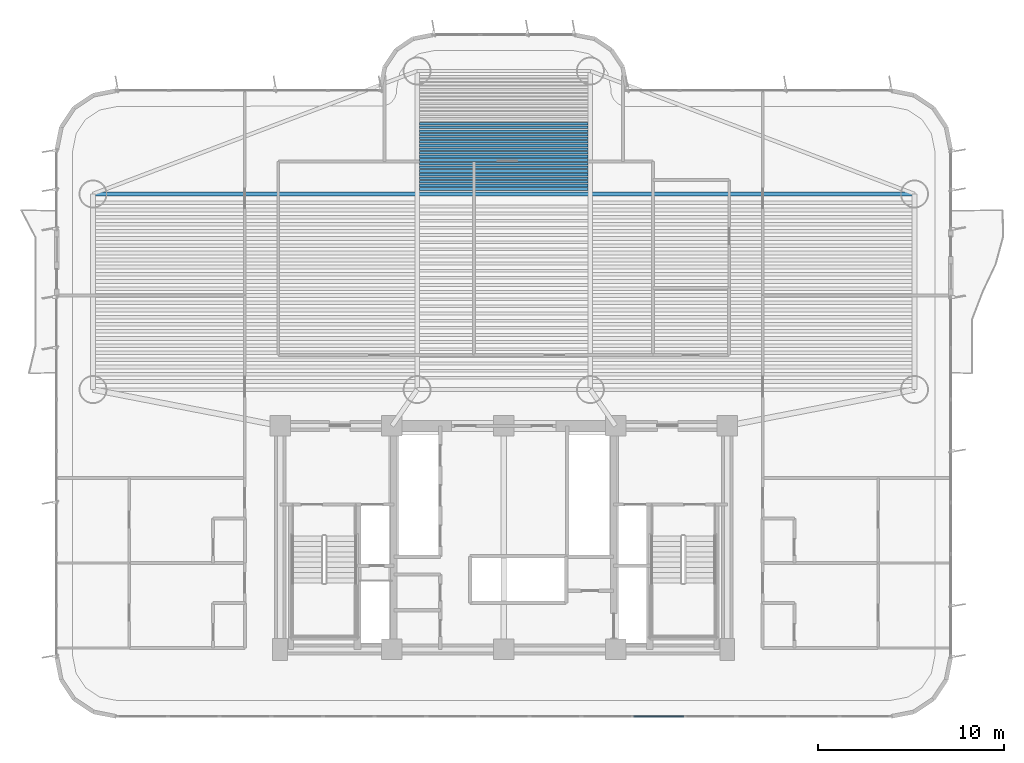
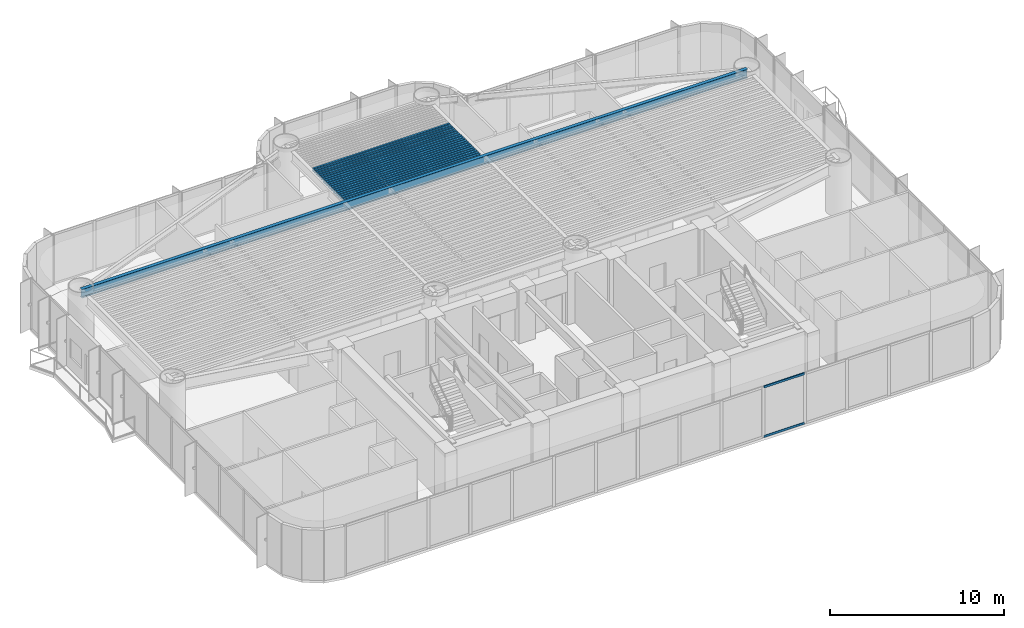
# One storey, part 4 of 17: 20 beams, 2 members, 1 element without a shape of its own.
"""IFC4 building model written with IfcOpenShell, lengths in metres."""

from ifc_helpers import new_model, si_unit, direction, frame, origin, origin_2d, place, context, subcontext, project, spatial, rectangle, i_section, extrude, source, transform, mapped, material, layer, layer_set, material_profile, profile_set, type_object, element, aggregate, save


model = new_model("IFC4")

# Units and contexts
model_context = context("Model", 3, precision=1e-05, world=origin(), true_north=direction((0.0, 1.0)))
body_context = subcontext(model_context, "Body", "Model", "MODEL_VIEW")
ifc_project = project(units=[si_unit("LENGTHUNIT", "METRE"), si_unit("AREAUNIT", "SQUARE_METRE"), si_unit("VOLUMEUNIT", "CUBIC_METRE"), si_unit("PLANEANGLEUNIT", "RADIAN"), si_unit("MASSUNIT", "GRAM", prefix="KILO")], contexts=[model_context])

# Site, building, storey
site_placement = place(None, origin())
site = spatial("IfcSite", under=ifc_project, at=site_placement, CompositionType="ELEMENT")
building_placement = place(site_placement, origin())
building = spatial("IfcBuilding", under=site, at=building_placement, Name="Brelvock Crest Care Tower", CompositionType="ELEMENT")
storey_placement = place(building_placement, frame((0.0, 0.0, 45.89990234375)))
storey = spatial("IfcBuildingStorey", under=building, at=storey_placement, Name="L11", CompositionType="ELEMENT", Elevation=45.89990234375)

# Beams
ifc_material_1 = material(Name="Steel Grade 350", Category="steel")
ifc_material_profile_1 = material_profile(ifc_material_1, i_section(OverallWidth=0.22900390625, OverallDepth=0.612060546875, WebThickness=0.011962890625, FlangeThickness=0.01953125, FilletRadius=0.013916015625, at=origin_2d()), Name="610UB125")
ifc_profile_set_1 = profile_set([ifc_material_profile_1], Name="Steel Grade 350")
beam_type_1 = type_object("IfcBeamType", Name="BM-G1", PredefinedType="BEAM", material=ifc_profile_set_1)
shared_shape_1 = source(origin(), body_context, "Body", "SweptSolid", [
    extrude(i_section(OverallWidth=0.22900390625, OverallDepth=0.612060546875, WebThickness=0.011962890625, FlangeThickness=0.01953125, FilletRadius=0.013916015625, at=origin_2d()), origin(), (0.0, 0.0, 1.0), 44.10009765625),
])
beam_placement = place(storey_placement, frame((13.949951171875, 30.449951171875, 3.22412109375), z_axis=(1.0, 0.0, 0.0), x_axis=(0.0, 1.0, 0.0)))
element("IfcBeam", 1, at=beam_placement, inside=storey, type_object=beam_type_1, Name="BM-TWR-L11-11", PredefinedType="BEAM", context=body_context, shape_type="MappedRepresentation", body=[
    mapped(shared_shape_1, transform((0.0, 0.0, 0.0), x_axis=(1.0, 0.0, 0.0), y_axis=(0.0, 1.0, 0.0), z_axis=(0.0, 0.0, 1.0), scale=1.0)),
])
ifc_material_profile_2 = material_profile(ifc_material_1, i_section(OverallWidth=0.14599609375, OverallDepth=0.256103515625, WebThickness=0.00634765625, FlangeThickness=0.010986328125, FilletRadius=0.0087890625, at=origin_2d()), Name="250UB37.3")
ifc_profile_set_2 = profile_set([ifc_material_profile_2], Name="Steel Grade 350")
beam_type_2 = type_object("IfcBeamType", Name="BM-J3", PredefinedType="JOIST", material=ifc_profile_set_2)
shared_shape_2 = source(origin(), body_context, "Body", "SweptSolid", [
    extrude(i_section(OverallWidth=0.14599609375, OverallDepth=0.256103515625, WebThickness=0.00634765625, FlangeThickness=0.010986328125, FilletRadius=0.0087890625, at=origin_2d()), origin(), (0.0, 0.0, 1.0), 9.06982421875),
])
for number, where, z_axis, x_axis, name in (
    (2, (31.465087890625, 30.714111328125, 3.402099609375), (1.0, 0.0, 0.0), (0.0, 1.0, 0.0), "BM-JN-L11-1"),
    (3, (31.465087890625, 30.90869140625, 3.402099609375), (1.0, 0.0, 0.0), (0.0, 1.0, 0.0), "BM-JN-L11-2"),
    (4, (31.465087890625, 31.103515625, 3.402099609375), (1.0, 0.0, 0.0), (0.0, 1.0, 0.0), "BM-JN-L11-3"),
    (5, (31.465087890625, 31.298095703125, 3.402099609375), (1.0, 0.0, 0.0), (0.0, 1.0, 0.0), "BM-JN-L11-4"),
    (6, (31.465087890625, 31.492919921875, 3.402099609375), (1.0, 0.0, 0.0), (0.0, 1.0, 0.0), "BM-JN-L11-5"),
    (7, (31.465087890625, 31.6875, 3.402099609375), (1.0, 0.0, 0.0), (0.0, 1.0, 0.0), "BM-JN-L11-6"),
    (8, (31.465087890625, 31.882080078125, 3.402099609375), (1.0, 0.0, 0.0), (0.0, 1.0, 0.0), "BM-JN-L11-7"),
    (9, (31.465087890625, 32.076904296875, 3.402099609375), (1.0, 0.0, 0.0), (0.0, 1.0, 0.0), "BM-JN-L11-8"),
    (10, (31.465087890625, 32.271484375, 3.402099609375), (1.0, 0.0, 0.0), (0.0, 1.0, 0.0), "BM-JN-L11-9"),
    (11, (31.465087890625, 32.46630859375, 3.402099609375), (1.0, 0.0, 0.0), (0.0, 1.0, 0.0), "BM-JN-L11-10"),
    (12, (31.465087890625, 32.660888671875, 3.402099609375), (1.0, 0.0, 0.0), (0.0, 1.0, 0.0), "BM-JN-L11-11"),
    (13, (31.465087890625, 32.855712890625, 3.402099609375), (1.0, 0.0, 0.0), (0.0, 1.0, 0.0), "BM-JN-L11-12"),
    (14, (31.465087890625, 33.05029296875, 3.402099609375), (1.0, 0.0, 0.0), (0.0, 1.0, 0.0), "BM-JN-L11-13"),
):
    element("IfcBeam", number, at=place(storey_placement, frame(where, z_axis=z_axis, x_axis=x_axis)), inside=storey, type_object=beam_type_2, Name=name, PredefinedType="JOIST", context=body_context, shape_type="MappedRepresentation", body=[
        mapped(shared_shape_2, transform((0.0, 0.0, 0.0), x_axis=(1.0, 0.0, 0.0), y_axis=(0.0, 1.0, 0.0), z_axis=(0.0, 0.0, 1.0), scale=1.0)),
    ])
ifc_material_profile_3 = material_profile(ifc_material_1, i_section(OverallWidth=0.134033203125, OverallDepth=0.20703125, WebThickness=0.00634765625, FlangeThickness=0.009521484375, FilletRadius=0.0087890625, at=origin_2d()), Name="200UB29.8")
ifc_profile_set_3 = profile_set([ifc_material_profile_3], Name="Steel Grade 350")
beam_type_3 = type_object("IfcBeamType", Name="BM-J4", PredefinedType="JOIST", material=ifc_profile_set_3)
shared_shape_3 = source(origin(), body_context, "Body", "SweptSolid", [
    extrude(i_section(OverallWidth=0.134033203125, OverallDepth=0.20703125, WebThickness=0.00634765625, FlangeThickness=0.009521484375, FilletRadius=0.0087890625, at=origin_2d()), origin(), (0.0, 0.0, 1.0), 9.06982421875),
])
for number, where, z_axis, x_axis, name in (
    (15, (31.465087890625, 33.2451171875, 3.426513671875), (1.0, 0.0, 0.0), (0.0, 1.0, 0.0), "BM-JN-L11-14"),
    (16, (31.465087890625, 33.439697265625, 3.426513671875), (1.0, 0.0, 0.0), (0.0, 1.0, 0.0), "BM-JN-L11-15"),
    (17, (31.465087890625, 33.634521484375, 3.426513671875), (1.0, 0.0, 0.0), (0.0, 1.0, 0.0), "BM-JN-L11-16"),
    (18, (31.465087890625, 33.8291015625, 3.426513671875), (1.0, 0.0, 0.0), (0.0, 1.0, 0.0), "BM-JN-L11-17"),
    (19, (31.465087890625, 34.02392578125, 3.426513671875), (1.0, 0.0, 0.0), (0.0, 1.0, 0.0), "BM-JN-L11-18"),
    (20, (31.465087890625, 34.218505859375, 3.426513671875), (1.0, 0.0, 0.0), (0.0, 1.0, 0.0), "BM-JN-L11-19"),
):
    element("IfcBeam", number, at=place(storey_placement, frame(where, z_axis=z_axis, x_axis=x_axis)), inside=storey, type_object=beam_type_3, Name=name, PredefinedType="JOIST", context=body_context, shape_type="MappedRepresentation", body=[
        mapped(shared_shape_3, transform((0.0, 0.0, 0.0), x_axis=(1.0, 0.0, 0.0), y_axis=(0.0, 1.0, 0.0), z_axis=(0.0, 0.0, 1.0), scale=1.0)),
    ])

# Curtain wall, members
ifc_material_2 = material(Name="Dark Glass Double Glazed Low-E", Category="glass")
ifc_layer = layer(ifc_material_2, 0.195068359375, Name="CWS-2")
ifc_layer_set = layer_set([ifc_layer], Name="Dark Glass Double Glazed Low-E")
curtain_wall_type = type_object("IfcCurtainWallType", Name="CWS-2", PredefinedType="NOTDEFINED", material=ifc_layer_set)
curtain_wall_placement = place(storey_placement, origin())
curtain_wall = element("IfcCurtainWall", 21, at=curtain_wall_placement, inside=storey, type_object=curtain_wall_type, Name="L11 Curtain Wall E08", PredefinedType="NOTDEFINED")
ifc_material_3 = material(Name="Aluminium 6063-T6", Category="aluminium")
ifc_material_profile_4 = material_profile(ifc_material_3, rectangle(XDim=0.06494140625, YDim=0.14990234375, at=origin_2d()), Name="ALU65x150")
ifc_profile_set_4 = profile_set([ifc_material_profile_4], Name="Aluminium 6063-T6")
member_type = type_object("IfcMemberType", Name="CWT-1", PredefinedType="USERDEFINED", material=ifc_profile_set_4)
shared_shape_4 = source(origin(), body_context, "Body", "SweptSolid", [
    extrude(rectangle(XDim=0.06494140625, YDim=0.14990234375, at=origin_2d()), origin(), (0.0, 0.0, 1.0), 2.708251953125),
])
member_1_placement = place(storey_placement, frame((45.674072265625, 2.39990234375, 0.03271484375), z_axis=(-1.0, 0.0, 0.0), x_axis=(0.0, -1.0, 0.0)))
member_1 = element("IfcMember", 22, at=member_1_placement, type_object=member_type, Name="CW-2 transom 5.1", ObjectType="TRANSOM", PredefinedType="USERDEFINED", context=body_context, shape_type="MappedRepresentation", body=[
    mapped(shared_shape_4, transform((0.0, 0.0, 0.0), x_axis=(1.0, 0.0, 0.0), y_axis=(0.0, 1.0, 0.0), z_axis=(0.0, 0.0, 1.0), scale=1.0)),
])
member_2_placement = place(storey_placement, frame((45.674072265625, 2.39990234375, 3.49755859375), z_axis=(-1.0, 0.0, 0.0), x_axis=(0.0, -1.0, 0.0)))
member_2 = element("IfcMember", 23, at=member_2_placement, type_object=member_type, Name="CW-2 transom 5.2", ObjectType="TRANSOM", PredefinedType="USERDEFINED", context=body_context, shape_type="MappedRepresentation", body=[
    mapped(shared_shape_4, transform((0.0, 0.0, 0.0), x_axis=(1.0, 0.0, 0.0), y_axis=(0.0, 1.0, 0.0), z_axis=(0.0, 0.0, 1.0), scale=1.0)),
])
aggregate(curtain_wall, [member_1, member_2])

save(model, "model.ifc")
